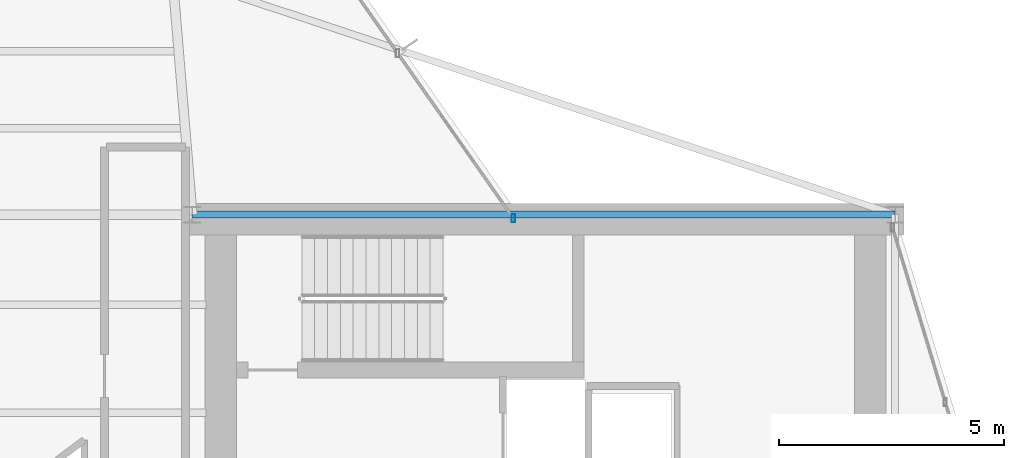
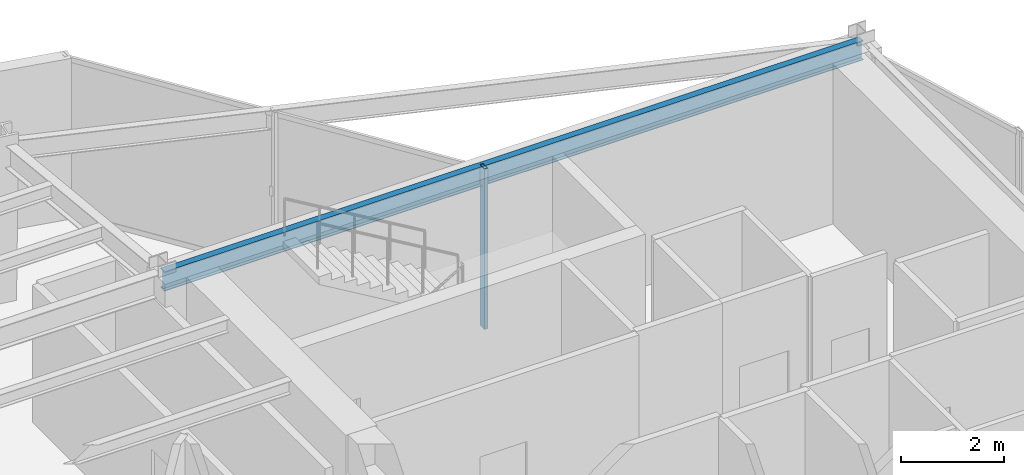
# One storey, part 16 of 23: 1 beam, 1 member, 1 element without a shape of its own.
"""IFC4 building model written with IfcOpenShell, lengths in metres."""

from ifc_helpers import new_model, si_unit, direction, frame, origin, origin_2d, place, context, subcontext, project, spatial, hollow_rectangle, i_section, extrude, material, layer, layer_set, material_profile, profile_set, type_object, element, aggregate, save


model = new_model("IFC4")

# Units and contexts
model_context = context("Model", 3, precision=1e-05, world=origin(), true_north=direction((0.0, 1.0)))
body_context = subcontext(model_context, "Body", "Model", "MODEL_VIEW")
ifc_project = project(units=[si_unit("LENGTHUNIT", "METRE"), si_unit("AREAUNIT", "SQUARE_METRE"), si_unit("VOLUMEUNIT", "CUBIC_METRE"), si_unit("PLANEANGLEUNIT", "RADIAN"), si_unit("MASSUNIT", "GRAM", prefix="KILO")], contexts=[model_context])

# Site, building, storey
site_placement = place(None, origin())
site = spatial("IfcSite", under=ifc_project, at=site_placement, CompositionType="ELEMENT")
building_placement = place(site_placement, origin())
building = spatial("IfcBuilding", under=site, at=building_placement, Name="Veymaron Broadcast Tower", CompositionType="ELEMENT")
storey_placement = place(building_placement, frame((0.0, 0.0, 224.25)))
storey = spatial("IfcBuildingStorey", under=building, at=storey_placement, Name="L52", CompositionType="ELEMENT", Elevation=224.25)

# Beam
ifc_material_1 = material(Name="Structural steel ASTM A992 Gr 50", Category="steel")
ifc_material_profile_1 = material_profile(ifc_material_1, i_section(OverallWidth=0.154052734375, OverallDepth=0.458984375, WebThickness=0.009033203125, FlangeThickness=0.015380859375, at=origin_2d()), Name="W460X68")
ifc_profile_set_1 = profile_set([ifc_material_profile_1], Name="Structural steel ASTM A992 Gr 50")
beam_type = type_object("IfcBeamType", Name="BM-SP2", PredefinedType="SPANDREL", material=ifc_profile_set_1)
beam_placement = place(storey_placement, frame((39.0, 32.0, 3.560546875), z_axis=(1.0, 0.0, 0.0), x_axis=(0.0, 1.0, 0.0)))
element("IfcBeam", 1, at=beam_placement, inside=storey, type_object=beam_type, Name="L52 primary structural floor girder", PredefinedType="SPANDREL", context=body_context, shape_type="SweptSolid", body=[
    extrude(i_section(OverallWidth=0.154052734375, OverallDepth=0.458984375, WebThickness=0.009033203125, FlangeThickness=0.015380859375, at=origin_2d()), origin(), (0.0, 0.0, 1.0), 15.60009765625),
])

# Curtain wall, member
ifc_material_2 = material(Name="Anodised aluminium AA 6063-T6 and laminated low-E dark glass", Category="aluminium")
ifc_layer = layer(ifc_material_2, 0.179931640625)
ifc_layer_set = layer_set([ifc_layer], Name="Anodised aluminium AA 6063-T6 and laminated low-E dark glass")
curtain_wall_type = type_object("IfcCurtainWallType", Name="CW-SYS-05", PredefinedType="NOTDEFINED", material=ifc_layer_set)
curtain_wall_placement = place(storey_placement, origin())
curtain_wall = element("IfcCurtainWall", 2, at=curtain_wall_placement, inside=storey, type_object=curtain_wall_type, Name="L52 dark-glass curtain wall CW-L52-E5-1", PredefinedType="NOTDEFINED")
ifc_material_3 = material(Name="Anodised aluminium AA 6063-T6", Category="aluminium")
ifc_material_profile_2 = material_profile(ifc_material_3, hollow_rectangle(XDim=0.074951171875, YDim=0.179931640625, WallThickness=0.0048828125, at=origin_2d()), Name="AL180X75X5")
ifc_profile_set_2 = profile_set([ifc_material_profile_2], Name="Anodised aluminium AA 6063-T6")
member_type = type_object("IfcMemberType", Name="CW-MUL-02", PredefinedType="MULLION", material=ifc_profile_set_2)
member_placement = place(storey_placement, frame((46.124755859375, 31.919677734375, 0.0), z_axis=(0.0, 0.0, 1.0), x_axis=(1.0, 0.0, 0.0)))
member = element("IfcMember", 3, at=member_placement, type_object=member_type, Name="CW-L52-E5-1 mullion 0", PredefinedType="MULLION", context=body_context, shape_type="SweptSolid", body=[
    extrude(hollow_rectangle(XDim=0.074951171875, YDim=0.179931640625, WallThickness=0.0048828125, at=origin_2d()), origin(), (0.0, 0.0, 1.0), 3.7900390625),
])
aggregate(curtain_wall, [member])

save(model, "model.ifc")
